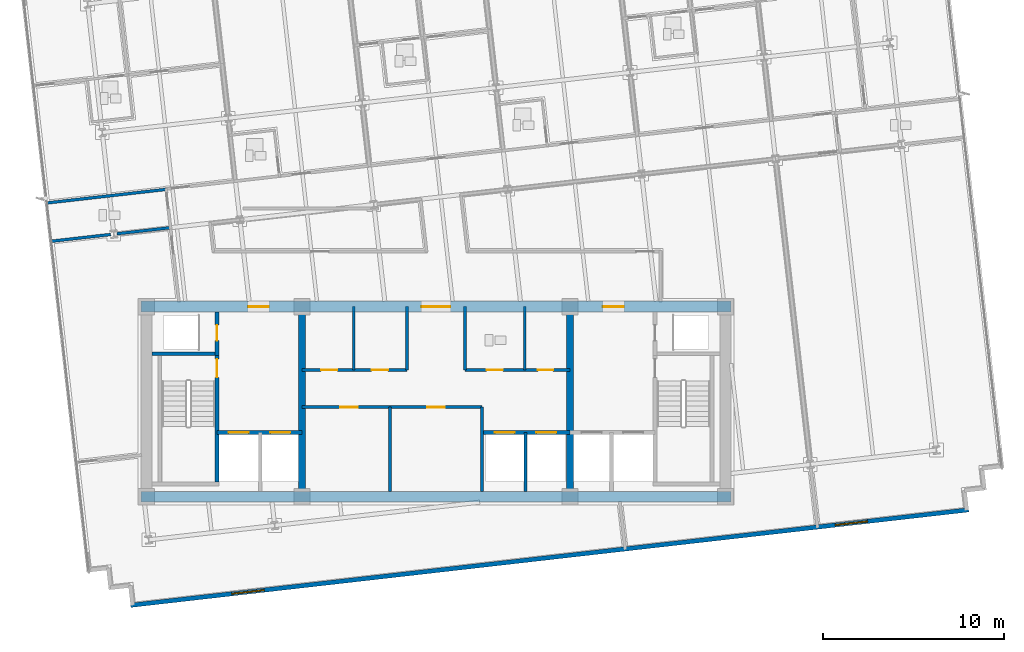
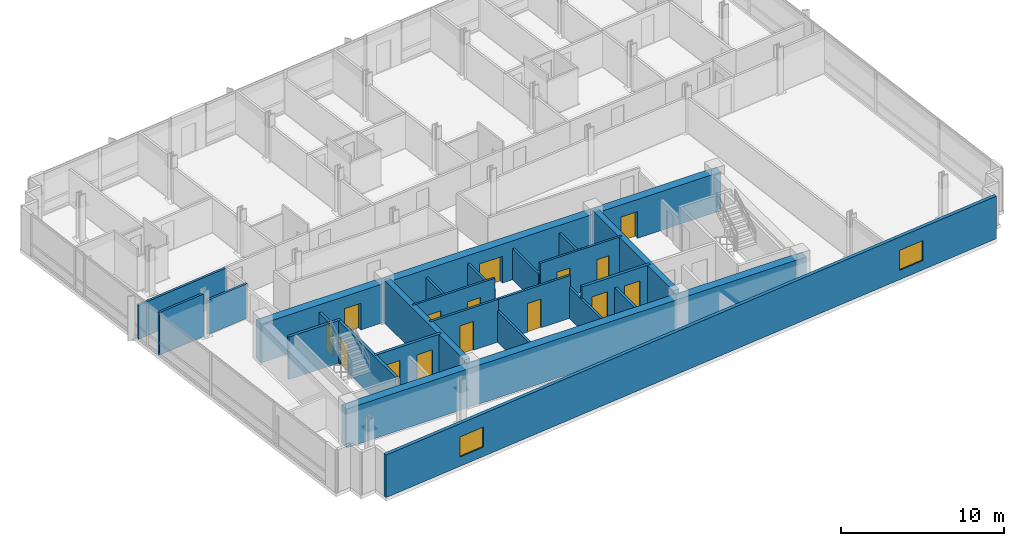
# One storey, part 8 of 17: 24 walls, 15 doors, 2 windows, 17 openings.
"""IFC4 building model written with IfcOpenShell, lengths in metres."""

from ifc_helpers import new_model, si_unit, direction, frame, frame_2d, origin, place, context, subcontext, project, spatial, rectangle, extrude, material, layer, layer_set, type_object, element, fill, save


model = new_model("IFC4")

# Units and contexts
model_context = context("Model", 3, precision=1e-05, world=origin(), true_north=direction((0.0, 1.0)))
body_context = subcontext(model_context, "Body", "Model", "MODEL_VIEW")
ifc_project = project(units=[si_unit("LENGTHUNIT", "METRE"), si_unit("AREAUNIT", "SQUARE_METRE"), si_unit("VOLUMEUNIT", "CUBIC_METRE"), si_unit("PLANEANGLEUNIT", "RADIAN"), si_unit("MASSUNIT", "GRAM", prefix="KILO")], contexts=[model_context])

# Site, building, storey
site_placement = place(None, origin())
site = spatial("IfcSite", under=ifc_project, at=site_placement, CompositionType="ELEMENT")
building_placement = place(site_placement, origin())
building = spatial("IfcBuilding", under=site, at=building_placement, Name="Solmavex Isthmus Hotel", CompositionType="ELEMENT")
storey_placement = place(building_placement, frame((0.0, 0.0, 202.050048828125)))
storey = spatial("IfcBuildingStorey", under=building, at=storey_placement, Name="L54", CompositionType="ELEMENT", Elevation=202.050048828125)

# Wall, openings, windows
ifc_material_1 = material(Name="Precast Concrete C40/50", Category="concrete")
ifc_layer_1 = layer(ifc_material_1, 0.25)
ifc_layer_set_1 = layer_set([ifc_layer_1], Name="Precast Concrete C40/50")
wall_type_1 = type_object("IfcWallType", Name="EW-TWR-250", PredefinedType="STANDARD", material=ifc_layer_set_1)
wall_1_placement = place(storey_placement, frame((-16.86962890625, -18.99951171875, 0.0), z_axis=(0.0, 0.0, 1.0), x_axis=(0.993571588328, 0.113205560228, 0.0)))
wall_1 = element("IfcWall", 1, at=wall_1_placement, inside=storey, type_object=wall_type_1, Name="Tower Rear South Facade Wall L54", PredefinedType="STANDARD", context=body_context, shape_type="SweptSolid", body=[
    extrude(rectangle(XDim=46.60009765625, YDim=0.239990234375, at=frame_2d((23.300048828125, 0.0))), origin(), (0.0, 0.0, 1.0), 3.18994140625),
])
opening_1_placement = place(wall_1_placement, frame((5.6240234375, 0.0, 0.699951171875)))
opening_1 = element("IfcOpeningElement", 2, at=opening_1_placement, cuts=wall_1, Name="Opening WN-02", PredefinedType="OPENING", context=body_context, shape_type="SweptSolid", body=[
    extrude(rectangle(XDim=1.800048828125, YDim=1.5, at=frame_2d((0.89990234375, 0.75))), frame((0.0, 0.1298828125, 0.0), z_axis=(0.0, -1.0, 0.0), x_axis=(1.0, 0.0, 0.0)), (0.0, 0.0, 1.0), 0.260009765625),
])
opening_2_placement = place(wall_1_placement, frame((39.176025390625, 0.0, 0.699951171875)))
opening_2 = element("IfcOpeningElement", 3, at=opening_2_placement, cuts=wall_1, Name="Opening WN-02", PredefinedType="OPENING", context=body_context, shape_type="SweptSolid", body=[
    extrude(rectangle(XDim=1.800048828125, YDim=1.5, at=frame_2d((0.89990234375, 0.75))), frame((0.0, 0.1298828125, 0.0), z_axis=(0.0, -1.0, 0.0), x_axis=(1.0, 0.0, 0.0)), (0.0, 0.0, 1.0), 0.260009765625),
])
ifc_material_2 = material(Name="Clear low-E laminated glass", Category="glass")
window_type = type_object("IfcWindowType", Name="WIN-TWR-1800", PartitioningType="SINGLE_PANEL", PredefinedType="WINDOW", material=ifc_material_2)
window_1_placement = place(opening_1_placement, origin())
window_1 = element("IfcWindow", 4, at=window_1_placement, inside=storey, type_object=window_type, Name="South Facade Vision Window L54-S1", OverallHeight=1.5, OverallWidth=1.800048828125, PartitioningType="SINGLE_PANEL", PredefinedType="WINDOW", context=body_context, shape_type="SweptSolid", body=[
    extrude(rectangle(XDim=1.800048828125, YDim=1.5, at=frame_2d((0.89990234375, 0.75))), frame((0.0, 0.030029296875, 0.0), z_axis=(0.0, -1.0, 0.0), x_axis=(1.0, 0.0, 0.0)), (0.0, 0.0, 1.0), 0.06005859375),
])
fill(opening_1, window_1)
window_2_placement = place(opening_2_placement, origin())
window_2 = element("IfcWindow", 5, at=window_2_placement, inside=storey, type_object=window_type, Name="South Facade Vision Window L54-S2", OverallHeight=1.5, OverallWidth=1.800048828125, PartitioningType="SINGLE_PANEL", PredefinedType="WINDOW", context=body_context, shape_type="SweptSolid", body=[
    extrude(rectangle(XDim=1.800048828125, YDim=1.5, at=frame_2d((0.89990234375, 0.75))), frame((0.0, 0.030029296875, 0.0), z_axis=(0.0, -1.0, 0.0), x_axis=(1.0, 0.0, 0.0)), (0.0, 0.0, 1.0), 0.06005859375),
])
fill(opening_2, window_2)

# Wall, opening, door
ifc_material_3 = material(Name="Gypsum plasterboard lining", Category="gypsum")
ifc_layer_2 = layer(ifc_material_3, 0.159912109375)
ifc_layer_set_2 = layer_set([ifc_layer_2], Name="Gypsum plasterboard lining")
wall_type_2 = type_object("IfcWallType", Name="IW-COMP-160", PredefinedType="PARTITIONING", material=ifc_layer_set_2)
wall_2_placement = place(storey_placement, frame((-7.39990234375, -8.050048828125, 0.0), z_axis=(0.0, 0.0, 1.0), x_axis=(1.0, 0.0, 0.0)))
wall_2 = element("IfcWall", 6, at=wall_2_placement, inside=storey, type_object=wall_type_2, Name="Interior Partition Wall W-L54-REC-PLL-N", PredefinedType="PARTITIONING", context=body_context, shape_type="SweptSolid", body=[
    extrude(rectangle(XDim=4.849853515625, YDim=0.159912109375, at=frame_2d((2.4248046875, 0.0))), origin(), (0.0, 0.0, 1.0), 3.18994140625),
])
opening_3_placement = place(wall_2_placement, frame((2.125, 0.0, 0.0)))
opening_3 = element("IfcOpeningElement", 7, at=opening_3_placement, cuts=wall_2, Name="Opening ID-C095", PredefinedType="OPENING", context=body_context, shape_type="SweptSolid", body=[
    extrude(rectangle(XDim=0.949951171875, YDim=2.14990234375, at=frame_2d((0.47509765625, 1.074951171875))), frame((0.0, 0.08984375, 0.0), z_axis=(0.0, -1.0, 0.0), x_axis=(1.0, 0.0, 0.0)), (0.0, 0.0, 1.0), 0.179931640625),
])
ifc_material_4 = material(Name="Hardwood timber", Category="wood")
door_type_1 = type_object("IfcDoorType", Name="IDR-FD60-0950", OperationType="NOTDEFINED", PredefinedType="DOOR", material=ifc_material_4)
door_1_placement = place(opening_3_placement, origin())
door_1 = element("IfcDoor", 8, at=door_1_placement, inside=storey, type_object=door_type_1, Name="Linen Reserve Door L54", OperationType="SINGLE_SWING_LEFT", OverallHeight=2.14990234375, OverallWidth=0.949951171875, PredefinedType="DOOR", context=body_context, shape_type="SweptSolid", body=[
    extrude(rectangle(XDim=0.949951171875, YDim=2.14990234375, at=frame_2d((0.47509765625, 1.074951171875))), frame((0.0, 0.02490234375, 0.0), z_axis=(0.0, -1.0, 0.0), x_axis=(1.0, 0.0, 0.0)), (0.0, 0.0, 1.0), 0.050048828125),
])
fill(opening_3, door_1)

# Wall
wall_3_placement = place(storey_placement, frame((-2.550048828125, -12.699951171875, 0.0), z_axis=(0.0, 0.0, 1.0), x_axis=(0.0, 1.0, 0.0)))
element("IfcWall", 9, at=wall_3_placement, inside=storey, type_object=wall_type_2, Name="Interior Partition Wall W-L54-REC-PLL-E", PredefinedType="PARTITIONING", context=body_context, shape_type="SweptSolid", body=[
    extrude(rectangle(XDim=4.64990234375, YDim=0.159912109375, at=frame_2d((2.324951171875, 0.0))), origin(), (0.0, 0.0, 1.0), 2.324951171875),
])

# Wall, opening, door
wall_4_placement = place(storey_placement, frame((-2.550048828125, -8.050048828125, 0.0), z_axis=(0.0, 0.0, 1.0), x_axis=(1.0, 0.0, 0.0)))
wall_4 = element("IfcWall", 10, at=wall_4_placement, inside=storey, type_object=wall_type_2, Name="Interior Partition Wall W-L54-REC-PLM-N", PredefinedType="PARTITIONING", context=body_context, shape_type="SweptSolid", body=[
    extrude(rectangle(XDim=5.10009765625, YDim=0.159912109375, at=frame_2d((2.550048828125, 0.0))), origin(), (0.0, 0.0, 1.0), 3.18994140625),
])
opening_4_placement = place(wall_4_placement, frame((2.074951171875, 0.0, 0.0)))
opening_4 = element("IfcOpeningElement", 11, at=opening_4_placement, cuts=wall_4, Name="Opening ID-C095", PredefinedType="OPENING", context=body_context, shape_type="SweptSolid", body=[
    extrude(rectangle(XDim=0.949951171875, YDim=2.14990234375, at=frame_2d((0.47509765625, 1.074951171875))), frame((0.0, 0.08984375, 0.0), z_axis=(0.0, -1.0, 0.0), x_axis=(1.0, 0.0, 0.0)), (0.0, 0.0, 1.0), 0.179931640625),
])
door_2_placement = place(opening_4_placement, origin())
door_2 = element("IfcDoor", 12, at=door_2_placement, inside=storey, type_object=door_type_1, Name="Butler Store Door L54", OperationType="SINGLE_SWING_RIGHT", OverallHeight=2.14990234375, OverallWidth=0.949951171875, PredefinedType="DOOR", context=body_context, shape_type="SweptSolid", body=[
    extrude(rectangle(XDim=0.949951171875, YDim=2.14990234375, at=frame_2d((0.47509765625, 1.074951171875))), frame((0.0, 0.02490234375, 0.0), z_axis=(0.0, -1.0, 0.0), x_axis=(1.0, 0.0, 0.0)), (0.0, 0.0, 1.0), 0.050048828125),
])
fill(opening_4, door_2)

# Walls
wall_5_placement = place(storey_placement, frame((2.550048828125, -12.699951171875, 0.0), z_axis=(0.0, 0.0, 1.0), x_axis=(0.0, 1.0, 0.0)))
element("IfcWall", 13, at=wall_5_placement, inside=storey, type_object=wall_type_2, Name="Interior Partition Wall W-L54-REC-PLM-E", PredefinedType="PARTITIONING", context=body_context, shape_type="SweptSolid", body=[
    extrude(rectangle(XDim=4.64990234375, YDim=0.159912109375, at=frame_2d((2.324951171875, 0.0))), origin(), (0.0, 0.0, 1.0), 2.324951171875),
])
wall_6_placement = place(storey_placement, frame((-14.86865234375, 3.98486328125, 0.0), z_axis=(0.0, 0.0, 1.0), x_axis=(-0.993568743641, -0.113230524415, 0.0)))
element("IfcWall", 14, at=wall_6_placement, inside=storey, type_object=wall_type_2, Name="Interior Partition Wall W-L54-P032", PredefinedType="PARTITIONING", context=body_context, shape_type="SweptSolid", body=[
    extrude(rectangle(XDim=6.7099609375, YDim=0.159912109375, at=frame_2d((3.35498046875, 0.0))), origin(), (0.0, 0.0, 1.0), 2.557373046875),
])
wall_7_placement = place(storey_placement, frame((-17.97216796875, 1.4873046875, 0.0), z_axis=(0.0, 0.0, 1.0), x_axis=(-0.993575433752, -0.113171804991, 0.0)))
element("IfcWall", 15, at=wall_7_placement, inside=storey, type_object=wall_type_2, Name="Interior Partition Wall W-L54-P080", PredefinedType="PARTITIONING", context=body_context, shape_type="SweptSolid", body=[
    extrude(rectangle(XDim=3.34375, YDim=0.159912109375, at=frame_2d((1.671875, 0.0))), origin(), (0.0, 0.0, 1.0), 3.18994140625),
])
wall_8_placement = place(storey_placement, frame((-14.62744140625, 1.868408203125, 0.0), z_axis=(0.0, 0.0, 1.0), x_axis=(-0.993574646464, -0.113178716659, 0.0)))
element("IfcWall", 16, at=wall_8_placement, inside=storey, type_object=wall_type_2, Name="Interior Partition Wall W-L54-P081", PredefinedType="PARTITIONING", context=body_context, shape_type="SweptSolid", body=[
    extrude(rectangle(XDim=3.013427734375, YDim=0.159912109375, at=frame_2d((1.5068359375, 0.0))), origin(), (0.0, 0.0, 1.0), 2.572265625),
])

# Wall, openings, doors
ifc_layer_3 = layer(ifc_material_3, 0.14990234375)
ifc_layer_set_3 = layer_set([ifc_layer_3], Name="Gypsum plasterboard lining")
wall_type_3 = type_object("IfcWallType", Name="IW-CORR-150", PredefinedType="PARTITIONING", material=ifc_layer_set_3)
wall_9_placement = place(storey_placement, frame((-7.39990234375, -6.0, 0.0), z_axis=(0.0, 0.0, 1.0), x_axis=(1.0, 0.0, 0.0)))
wall_9 = element("IfcWall", 17, at=wall_9_placement, inside=storey, type_object=wall_type_3, Name="Interior Partition Wall W-L54-BOH-WS", PredefinedType="PARTITIONING", context=body_context, shape_type="SweptSolid", body=[
    extrude(rectangle(XDim=5.7998046875, YDim=0.14990234375, at=frame_2d((2.89990234375, 0.0))), origin(), (0.0, 0.0, 1.0), 3.18994140625),
])
opening_5_placement = place(wall_9_placement, frame((1.050048828125, 0.0, 0.0)))
opening_5 = element("IfcOpeningElement", 18, at=opening_5_placement, cuts=wall_9, Name="Opening ID-C090", PredefinedType="OPENING", context=body_context, shape_type="SweptSolid", body=[
    extrude(rectangle(XDim=0.89990234375, YDim=2.10009765625, at=frame_2d((0.449951171875, 1.050048828125))), frame((0.0, 0.0849609375, 0.0), z_axis=(0.0, -1.0, 0.0), x_axis=(1.0, 0.0, 0.0)), (0.0, 0.0, 1.0), 0.169921875),
])
opening_6_placement = place(wall_9_placement, frame((3.85009765625, 0.0, 0.0)))
opening_6 = element("IfcOpeningElement", 19, at=opening_6_placement, cuts=wall_9, Name="Opening ID-C090", PredefinedType="OPENING", context=body_context, shape_type="SweptSolid", body=[
    extrude(rectangle(XDim=0.89990234375, YDim=2.10009765625, at=frame_2d((0.449951171875, 1.050048828125))), frame((0.0, 0.0849609375, 0.0), z_axis=(0.0, -1.0, 0.0), x_axis=(1.0, 0.0, 0.0)), (0.0, 0.0, 1.0), 0.169921875),
])
door_type_2 = type_object("IfcDoorType", Name="IDR-FD60-0900", OperationType="NOTDEFINED", PredefinedType="DOOR", material=ifc_material_4)
door_3_placement = place(opening_5_placement, frame((0.89990234375, 0.0, 0.0), z_axis=(0.0, 0.0, 1.0), x_axis=(-1.0, 0.0, 0.0)))
door_3 = element("IfcDoor", 20, at=door_3_placement, inside=storey, type_object=door_type_2, Name="Linen Room Door L54", OperationType="SINGLE_SWING_LEFT", OverallHeight=2.10009765625, OverallWidth=0.89990234375, PredefinedType="DOOR", context=body_context, shape_type="SweptSolid", body=[
    extrude(rectangle(XDim=0.89990234375, YDim=2.10009765625, at=frame_2d((0.449951171875, 1.050048828125))), frame((0.0, 0.02490234375, 0.0), z_axis=(0.0, -1.0, 0.0), x_axis=(1.0, 0.0, 0.0)), (0.0, 0.0, 1.0), 0.050048828125),
])
fill(opening_5, door_3)
door_4_placement = place(opening_6_placement, frame((0.89990234375, 0.0, 0.0), z_axis=(0.0, 0.0, 1.0), x_axis=(-1.0, 0.0, 0.0)))
door_4 = element("IfcDoor", 21, at=door_4_placement, inside=storey, type_object=door_type_2, Name="Ice Pantry Door L54", OperationType="SINGLE_SWING_RIGHT", OverallHeight=2.10009765625, OverallWidth=0.89990234375, PredefinedType="DOOR", context=body_context, shape_type="SweptSolid", body=[
    extrude(rectangle(XDim=0.89990234375, YDim=2.10009765625, at=frame_2d((0.449951171875, 1.050048828125))), frame((0.0, 0.02490234375, 0.0), z_axis=(0.0, -1.0, 0.0), x_axis=(1.0, 0.0, 0.0)), (0.0, 0.0, 1.0), 0.050048828125),
])
fill(opening_6, door_4)

# Wall
wall_10_placement = place(storey_placement, frame((-1.60009765625, -6.0, 0.0), z_axis=(0.0, 0.0, 1.0), x_axis=(0.0, 1.0, 0.0)))
element("IfcWall", 22, at=wall_10_placement, inside=storey, type_object=wall_type_3, Name="Interior Partition Wall W-L54-BOH-WE", PredefinedType="PARTITIONING", context=body_context, shape_type="SweptSolid", body=[
    extrude(rectangle(XDim=3.5, YDim=0.14990234375, at=frame_2d((1.75, 0.0))), origin(), (0.0, 0.0, 1.0), 2.324951171875),
])

# Wall, openings, doors
wall_11_placement = place(storey_placement, frame((1.60009765625, -6.0, 0.0), z_axis=(0.0, 0.0, 1.0), x_axis=(1.0, 0.0, 0.0)))
wall_11 = element("IfcWall", 23, at=wall_11_placement, inside=storey, type_object=wall_type_3, Name="Interior Partition Wall W-L54-BOH-ES", PredefinedType="PARTITIONING", context=body_context, shape_type="SweptSolid", body=[
    extrude(rectangle(XDim=5.7998046875, YDim=0.14990234375, at=frame_2d((2.89990234375, 0.0))), origin(), (0.0, 0.0, 1.0), 3.18994140625),
])
opening_7_placement = place(wall_11_placement, frame((1.199951171875, 0.0, 0.0)))
opening_7 = element("IfcOpeningElement", 24, at=opening_7_placement, cuts=wall_11, Name="Opening ID-C090", PredefinedType="OPENING", context=body_context, shape_type="SweptSolid", body=[
    extrude(rectangle(XDim=0.89990234375, YDim=2.10009765625, at=frame_2d((0.449951171875, 1.050048828125))), frame((0.0, 0.0849609375, 0.0), z_axis=(0.0, -1.0, 0.0), x_axis=(1.0, 0.0, 0.0)), (0.0, 0.0, 1.0), 0.169921875),
])
opening_8_placement = place(wall_11_placement, frame((4.02490234375, 0.0, 0.0)))
opening_8 = element("IfcOpeningElement", 25, at=opening_8_placement, cuts=wall_11, Name="Opening ID-R085", PredefinedType="OPENING", context=body_context, shape_type="SweptSolid", body=[
    extrude(rectangle(XDim=0.85009765625, YDim=2.050048828125, at=frame_2d((0.425048828125, 1.02490234375))), frame((0.0, 0.0849609375, 0.0), z_axis=(0.0, -1.0, 0.0), x_axis=(1.0, 0.0, 0.0)), (0.0, 0.0, 1.0), 0.169921875),
])
ifc_material_5 = material(Name="Steel ASTM A500 Grade C", Category="steel")
door_type_3 = type_object("IfcDoorType", Name="IDR-FD60-0850", OperationType="NOTDEFINED", PredefinedType="DOOR", material=ifc_material_5)
door_5_placement = place(opening_8_placement, frame((0.85009765625, 0.0, 0.0), z_axis=(0.0, 0.0, 1.0), x_axis=(-1.0, 0.0, 0.0)))
door_5 = element("IfcDoor", 26, at=door_5_placement, inside=storey, type_object=door_type_3, Name="IT Room Door L54", OperationType="SINGLE_SWING_RIGHT", OverallHeight=2.050048828125, OverallWidth=0.85009765625, PredefinedType="DOOR", context=body_context, shape_type="SweptSolid", body=[
    extrude(rectangle(XDim=0.85009765625, YDim=2.050048828125, at=frame_2d((0.425048828125, 1.02490234375))), frame((0.0, 0.02490234375, 0.0), z_axis=(0.0, -1.0, 0.0), x_axis=(1.0, 0.0, 0.0)), (0.0, 0.0, 1.0), 0.050048828125),
])
fill(opening_8, door_5)
door_6_placement = place(opening_7_placement, frame((0.89990234375, 0.0, 0.0), z_axis=(0.0, 0.0, 1.0), x_axis=(-1.0, 0.0, 0.0)))
door_6 = element("IfcDoor", 27, at=door_6_placement, inside=storey, type_object=door_type_2, Name="Staff Restroom Door L54", OperationType="SINGLE_SWING_LEFT", OverallHeight=2.10009765625, OverallWidth=0.89990234375, PredefinedType="DOOR", context=body_context, shape_type="SweptSolid", body=[
    extrude(rectangle(XDim=0.89990234375, YDim=2.10009765625, at=frame_2d((0.449951171875, 1.050048828125))), frame((0.0, 0.02490234375, 0.0), z_axis=(0.0, -1.0, 0.0), x_axis=(1.0, 0.0, 0.0)), (0.0, 0.0, 1.0), 0.050048828125),
])
fill(opening_7, door_6)

# Walls
wall_12_placement = place(storey_placement, frame((1.60009765625, -6.0, 0.0), z_axis=(0.0, 0.0, 1.0), x_axis=(0.0, 1.0, 0.0)))
element("IfcWall", 28, at=wall_12_placement, inside=storey, type_object=wall_type_3, Name="Interior Partition Wall W-L54-BOH-EW", PredefinedType="PARTITIONING", context=body_context, shape_type="SweptSolid", body=[
    extrude(rectangle(XDim=3.5, YDim=0.14990234375, at=frame_2d((1.75, 0.0))), origin(), (0.0, 0.0, 1.0), 2.324951171875),
])
ifc_layer_4 = layer(ifc_material_3, 0.1201171875)
ifc_layer_set_4 = layer_set([ifc_layer_4], Name="Gypsum plasterboard lining")
wall_type_4 = type_object("IfcWallType", Name="IW-PART-120", PredefinedType="PARTITIONING", material=ifc_layer_set_4)
for number, where, z_axis, x_axis, name in (
    (29, (-4.550048828125, -6.0, 0.0), (0.0, 0.0, 1.0), (0.0, 1.0, 0.0), "Interior Partition Wall W-L54-BOH-WM2"),
    (30, (4.89990234375, -6.0, 0.0), (0.0, 0.0, 1.0), (0.0, 1.0, 0.0), "Interior Partition Wall W-L54-BOH-EM2"),
):
    element("IfcWall", number, at=place(storey_placement, frame(where, z_axis=z_axis, x_axis=x_axis)), inside=storey, type_object=wall_type_4, Name=name, PredefinedType="PARTITIONING", context=body_context, shape_type="SweptSolid", body=[
        extrude(rectangle(XDim=3.5, YDim=0.14990234375, at=frame_2d((1.75, 0.0))), origin(), (0.0, 0.0, 1.0), 2.324951171875),
    ])
ifc_material_6 = material(Name="Concrete C40/50", Category="concrete")
ifc_layer_5 = layer(ifc_material_6, 0.179931640625)
ifc_layer_set_5 = layer_set([ifc_layer_5], Name="Concrete C40/50")
wall_type_5 = type_object("IfcWallType", Name="IW-SHAFT-180", PredefinedType="PARTITIONING", material=ifc_layer_set_5)
wall_13_placement = place(storey_placement, frame((4.949951171875, -12.699951171875, 0.0), z_axis=(0.0, 0.0, 1.0), x_axis=(0.0, 1.0, 0.0)))
element("IfcWall", 31, at=wall_13_placement, inside=storey, type_object=wall_type_5, Name="Interior Partition Wall W-L54-SH-PLH-M", PredefinedType="PARTITIONING", context=body_context, shape_type="SweptSolid", body=[
    extrude(rectangle(XDim=3.25, YDim=0.179931640625, at=frame_2d((1.625, 0.0))), origin(), (0.0, 0.0, 1.0), 2.324951171875),
])

# Wall, opening, door
ifc_layer_6 = layer(ifc_material_6, 0.199951171875)
ifc_layer_set_6 = layer_set([ifc_layer_6], Name="Concrete C40/50")
wall_type_6 = type_object("IfcWallType", Name="IW-SHAFT-200", PredefinedType="PARTITIONING", material=ifc_layer_set_6)
wall_14_placement = place(storey_placement, frame((-12.10009765625, -5.199951171875, 0.0), z_axis=(0.0, 0.0, 1.0), x_axis=(0.0, 1.0, 0.0)))
wall_14 = element("IfcWall", 32, at=wall_14_placement, inside=storey, type_object=wall_type_6, Name="Interior Partition Wall W-L54-RSW-E", PredefinedType="PARTITIONING", context=body_context, shape_type="SweptSolid", body=[
    extrude(rectangle(XDim=2.39990234375, YDim=0.199951171875, at=frame_2d((1.199951171875, 0.0))), origin(), (0.0, 0.0, 1.0), 2.324951171875),
])
opening_9_placement = place(wall_14_placement, frame((0.824951171875, 0.0, 0.0)))
opening_9 = element("IfcOpeningElement", 33, at=opening_9_placement, cuts=wall_14, Name="Opening ID-R085", PredefinedType="OPENING", context=body_context, shape_type="SweptSolid", body=[
    extrude(rectangle(XDim=0.85009765625, YDim=2.050048828125, at=frame_2d((0.425048828125, 1.02490234375))), frame((0.0, 0.10986328125, 0.0), z_axis=(0.0, -1.0, 0.0), x_axis=(1.0, 0.0, 0.0)), (0.0, 0.0, 1.0), 0.219970703125),
])
door_7_placement = place(opening_9_placement, origin())
door_7 = element("IfcDoor", 34, at=door_7_placement, inside=storey, type_object=door_type_3, Name="Electrical Riser Door L54", OperationType="SINGLE_SWING_RIGHT", OverallHeight=2.050048828125, OverallWidth=0.85009765625, PredefinedType="DOOR", context=body_context, shape_type="SweptSolid", body=[
    extrude(rectangle(XDim=0.85009765625, YDim=2.050048828125, at=frame_2d((0.425048828125, 1.02490234375))), frame((0.0, 0.02490234375, 0.0), z_axis=(0.0, -1.0, 0.0), x_axis=(1.0, 0.0, 0.0)), (0.0, 0.0, 1.0), 0.050048828125),
])
fill(opening_9, door_7)

# Wall, openings, doors
wall_15_placement = place(storey_placement, frame((-12.10009765625, -9.449951171875, 0.0), z_axis=(0.0, 0.0, 1.0), x_axis=(1.0, 0.0, 0.0)))
wall_15 = element("IfcWall", 35, at=wall_15_placement, inside=storey, type_object=wall_type_6, Name="Interior Partition Wall W-L54-FFLW-S", PredefinedType="PARTITIONING", context=body_context, shape_type="SweptSolid", body=[
    extrude(rectangle(XDim=4.7001953125, YDim=0.199951171875, at=frame_2d((2.35009765625, 0.0))), origin(), (0.0, 0.0, 1.0), 3.18994140625),
])
opening_10_placement = place(wall_15_placement, frame((0.64990234375, 0.0, 0.0)))
opening_10 = element("IfcOpeningElement", 36, at=opening_10_placement, cuts=wall_15, Name="Opening LD-FF", PredefinedType="OPENING", context=body_context, shape_type="SweptSolid", body=[
    extrude(rectangle(XDim=1.10009765625, YDim=2.199951171875, at=frame_2d((0.550048828125, 1.10009765625))), frame((0.0, 0.10986328125, 0.0), z_axis=(0.0, -1.0, 0.0), x_axis=(1.0, 0.0, 0.0)), (0.0, 0.0, 1.0), 0.219970703125),
])
opening_11_placement = place(wall_15_placement, frame((2.949951171875, 0.0, 0.0)))
opening_11 = element("IfcOpeningElement", 37, at=opening_11_placement, cuts=wall_15, Name="Opening LD-SV", PredefinedType="OPENING", context=body_context, shape_type="SweptSolid", body=[
    extrude(rectangle(XDim=1.10009765625, YDim=2.199951171875, at=frame_2d((0.550048828125, 1.10009765625))), frame((0.0, 0.10986328125, 0.0), z_axis=(0.0, -1.0, 0.0), x_axis=(1.0, 0.0, 0.0)), (0.0, 0.0, 1.0), 0.219970703125),
])
ifc_material_7 = material(Name="Stainless steel 316", Category="steel")
door_type_4 = type_object("IfcDoorType", Name="LDR-FF-1100", OperationType="NOTDEFINED", PredefinedType="DOOR", material=ifc_material_7)
door_8_placement = place(opening_10_placement, origin())
door_8 = element("IfcDoor", 38, at=door_8_placement, inside=storey, type_object=door_type_4, Name="Lift Landing Door FFL-1 L54", OperationType="SLIDING_TO_LEFT", OverallHeight=2.199951171875, OverallWidth=1.10009765625, PredefinedType="DOOR", context=body_context, shape_type="SweptSolid", body=[
    extrude(rectangle(XDim=1.10009765625, YDim=2.199951171875, at=frame_2d((0.550048828125, 1.10009765625))), frame((0.0, 0.02490234375, 0.0), z_axis=(0.0, -1.0, 0.0), x_axis=(1.0, 0.0, 0.0)), (0.0, 0.0, 1.0), 0.050048828125),
])
fill(opening_10, door_8)
door_type_5 = type_object("IfcDoorType", Name="LDR-SV-1100", OperationType="NOTDEFINED", PredefinedType="DOOR", material=ifc_material_7)
door_9_placement = place(opening_11_placement, origin())
door_9 = element("IfcDoor", 39, at=door_9_placement, inside=storey, type_object=door_type_5, Name="Lift Landing Door SVL-1 L54", OperationType="SLIDING_TO_RIGHT", OverallHeight=2.199951171875, OverallWidth=1.10009765625, PredefinedType="DOOR", context=body_context, shape_type="SweptSolid", body=[
    extrude(rectangle(XDim=1.10009765625, YDim=2.199951171875, at=frame_2d((0.550048828125, 1.10009765625))), frame((0.0, 0.02490234375, 0.0), z_axis=(0.0, -1.0, 0.0), x_axis=(1.0, 0.0, 0.0)), (0.0, 0.0, 1.0), 0.050048828125),
])
fill(opening_11, door_9)

wall_16_placement = place(storey_placement, frame((2.550048828125, -9.449951171875, 0.0), z_axis=(0.0, 0.0, 1.0), x_axis=(1.0, 0.0, 0.0)))
wall_16 = element("IfcWall", 40, at=wall_16_placement, inside=storey, type_object=wall_type_6, Name="Interior Partition Wall W-L54-SH-PLH", PredefinedType="PARTITIONING", context=body_context, shape_type="SweptSolid", body=[
    extrude(rectangle(XDim=4.849853515625, YDim=0.199951171875, at=frame_2d((2.4248046875, 0.0))), origin(), (0.0, 0.0, 1.0), 3.18994140625),
])
opening_12_placement = place(wall_16_placement, frame((0.699951171875, 0.0, 0.0)))
opening_12 = element("IfcOpeningElement", 41, at=opening_12_placement, cuts=wall_16, Name="Opening LD-PL", PredefinedType="OPENING", context=body_context, shape_type="SweptSolid", body=[
    extrude(rectangle(XDim=1.10009765625, YDim=2.199951171875, at=frame_2d((0.550048828125, 1.10009765625))), frame((0.0, 0.10986328125, 0.0), z_axis=(0.0, -1.0, 0.0), x_axis=(1.0, 0.0, 0.0)), (0.0, 0.0, 1.0), 0.219970703125),
])
opening_13_placement = place(wall_16_placement, frame((3.0, 0.0, 0.0)))
opening_13 = element("IfcOpeningElement", 42, at=opening_13_placement, cuts=wall_16, Name="Opening LD-PL", PredefinedType="OPENING", context=body_context, shape_type="SweptSolid", body=[
    extrude(rectangle(XDim=1.10009765625, YDim=2.199951171875, at=frame_2d((0.550048828125, 1.10009765625))), frame((0.0, 0.10986328125, 0.0), z_axis=(0.0, -1.0, 0.0), x_axis=(1.0, 0.0, 0.0)), (0.0, 0.0, 1.0), 0.219970703125),
])
door_type_6 = type_object("IfcDoorType", Name="LDR-PL-1100", OperationType="NOTDEFINED", PredefinedType="DOOR", material=ifc_material_7)
door_10_placement = place(opening_12_placement, origin())
door_10 = element("IfcDoor", 43, at=door_10_placement, inside=storey, type_object=door_type_6, Name="Lift Landing Door PLH1 L54", OperationType="SLIDING_TO_LEFT", OverallHeight=2.199951171875, OverallWidth=1.10009765625, PredefinedType="DOOR", context=body_context, shape_type="SweptSolid", body=[
    extrude(rectangle(XDim=1.10009765625, YDim=2.199951171875, at=frame_2d((0.550048828125, 1.10009765625))), frame((0.0, 0.02490234375, 0.0), z_axis=(0.0, -1.0, 0.0), x_axis=(1.0, 0.0, 0.0)), (0.0, 0.0, 1.0), 0.050048828125),
])
fill(opening_12, door_10)
door_11_placement = place(opening_13_placement, origin())
door_11 = element("IfcDoor", 44, at=door_11_placement, inside=storey, type_object=door_type_6, Name="Lift Landing Door PLH2 L54", OperationType="SLIDING_TO_LEFT", OverallHeight=2.199951171875, OverallWidth=1.10009765625, PredefinedType="DOOR", context=body_context, shape_type="SweptSolid", body=[
    extrude(rectangle(XDim=1.10009765625, YDim=2.199951171875, at=frame_2d((0.550048828125, 1.10009765625))), frame((0.0, 0.02490234375, 0.0), z_axis=(0.0, -1.0, 0.0), x_axis=(1.0, 0.0, 0.0)), (0.0, 0.0, 1.0), 0.050048828125),
])
fill(opening_13, door_11)

# Walls
ifc_material_8 = material(Name="Concrete C50/60", Category="concrete")
ifc_layer_7 = layer(ifc_material_8, 0.39990234375)
ifc_layer_set_7 = layer_set([ifc_layer_7], Name="Concrete C50/60")
wall_type_7 = type_object("IfcWallType", Name="WALL-CW-400H", PredefinedType="SHEAR", material=ifc_layer_set_7)
for number, where, z_axis, x_axis, name in (
    (45, (-7.39990234375, -12.699951171875, 0.0), (0.0, 0.0, 1.0), (0.0, 1.0, 0.0), "Core Cross Shear Wall C1 L54"),
    (46, (7.39990234375, -12.699951171875, 0.0), (0.0, 0.0, 1.0), (0.0, 1.0, 0.0), "Core Cross Shear Wall C2 L54"),
):
    element("IfcWall", number, at=place(storey_placement, frame(where, z_axis=z_axis, x_axis=x_axis)), inside=storey, type_object=wall_type_7, Name=name, PredefinedType="SHEAR", context=body_context, shape_type="SweptSolid", body=[
        extrude(rectangle(XDim=9.89990234375, YDim=0.39990234375, at=frame_2d((4.949951171875, 0.0))), origin(), (0.0, 0.0, 1.0), 3.18994140625),
    ])
ifc_layer_8 = layer(ifc_material_8, 0.60009765625)
ifc_layer_set_8 = layer_set([ifc_layer_8], Name="Concrete C50/60")
wall_type_8 = type_object("IfcWallType", Name="WALL-CW-600", PredefinedType="SHEAR", material=ifc_layer_set_8)
wall_17_placement = place(storey_placement, frame((-16.300048828125, -13.0, 0.0), z_axis=(0.0, 0.0, 1.0), x_axis=(1.0, 0.0, 0.0)))
element("IfcWall", 47, at=wall_17_placement, inside=storey, type_object=wall_type_8, Name="Core Shear Wall South L54", PredefinedType="SHEAR", context=body_context, shape_type="SweptSolid", body=[
    extrude(rectangle(XDim=32.60009765625, YDim=0.60009765625, at=frame_2d((16.300048828125, 0.0))), origin(), (0.0, 0.0, 1.0), 2.909912109375),
])

# Wall, openings, doors
wall_18_placement = place(storey_placement, frame((-16.300048828125, -2.5, 0.0), z_axis=(0.0, 0.0, 1.0), x_axis=(1.0, 0.0, 0.0)))
wall_18 = element("IfcWall", 48, at=wall_18_placement, inside=storey, type_object=wall_type_8, Name="Core Shear Wall North L54", PredefinedType="SHEAR", context=body_context, shape_type="SweptSolid", body=[
    extrude(rectangle(XDim=32.60009765625, YDim=0.60009765625, at=frame_2d((16.300048828125, 0.0))), origin(), (0.0, 0.0, 1.0), 2.909912109375),
])
opening_14_placement = place(wall_18_placement, frame((5.925048828125, 0.0, 0.0)))
opening_14 = element("IfcOpeningElement", 49, at=opening_14_placement, cuts=wall_18, Name="Opening ID-F915", PredefinedType="OPENING", context=body_context, shape_type="SweptSolid", body=[
    extrude(rectangle(XDim=1.14990234375, YDim=2.0, at=frame_2d((0.574951171875, 1.0))), frame((0.0, 0.31005859375, 0.0), z_axis=(0.0, -1.0, 0.0), x_axis=(1.0, 0.0, 0.0)), (0.0, 0.0, 1.0), 0.6201171875),
])
opening_15_placement = place(wall_18_placement, frame((15.5, 0.0, 0.0)))
opening_15 = element("IfcOpeningElement", 50, at=opening_15_placement, cuts=wall_18, Name="Opening ID-F960", PredefinedType="OPENING", context=body_context, shape_type="SweptSolid", body=[
    extrude(rectangle(XDim=1.60009765625, YDim=2.0, at=frame_2d((0.800048828125, 1.0))), frame((0.0, 0.31005859375, 0.0), z_axis=(0.0, -1.0, 0.0), x_axis=(1.0, 0.0, 0.0)), (0.0, 0.0, 1.0), 0.6201171875),
])
opening_16_placement = place(wall_18_placement, frame((25.52490234375, 0.0, 0.0)))
opening_16 = element("IfcOpeningElement", 51, at=opening_16_placement, cuts=wall_18, Name="Opening ID-F915", PredefinedType="OPENING", context=body_context, shape_type="SweptSolid", body=[
    extrude(rectangle(XDim=1.14990234375, YDim=2.0, at=frame_2d((0.574951171875, 1.0))), frame((0.0, 0.31005859375, 0.0), z_axis=(0.0, -1.0, 0.0), x_axis=(1.0, 0.0, 0.0)), (0.0, 0.0, 1.0), 0.6201171875),
])
door_type_7 = type_object("IfcDoorType", Name="IDR-FD90-1150C", OperationType="NOTDEFINED", PredefinedType="DOOR", material=ifc_material_5)
door_12_placement = place(opening_14_placement, origin())
door_12 = element("IfcDoor", 52, at=door_12_placement, inside=storey, type_object=door_type_7, Name="Firefighting Lobby West Exit Door L54", OperationType="SINGLE_SWING_LEFT", OverallHeight=2.0, OverallWidth=1.14990234375, PredefinedType="DOOR", context=body_context, shape_type="SweptSolid", body=[
    extrude(rectangle(XDim=1.14990234375, YDim=2.0, at=frame_2d((0.574951171875, 1.0))), frame((0.0, 0.02490234375, 0.0), z_axis=(0.0, -1.0, 0.0), x_axis=(1.0, 0.0, 0.0)), (0.0, 0.0, 1.0), 0.050048828125),
])
fill(opening_14, door_12)
door_13_placement = place(opening_16_placement, origin())
door_13 = element("IfcDoor", 53, at=door_13_placement, inside=storey, type_object=door_type_7, Name="Firefighting Lobby East Exit Door L54", OperationType="SINGLE_SWING_RIGHT", OverallHeight=2.0, OverallWidth=1.14990234375, PredefinedType="DOOR", context=body_context, shape_type="SweptSolid", body=[
    extrude(rectangle(XDim=1.14990234375, YDim=2.0, at=frame_2d((0.574951171875, 1.0))), frame((0.0, 0.02490234375, 0.0), z_axis=(0.0, -1.0, 0.0), x_axis=(1.0, 0.0, 0.0)), (0.0, 0.0, 1.0), 0.050048828125),
])
fill(opening_16, door_13)
door_type_8 = type_object("IfcDoorType", Name="IDR-FD90-1600C", OperationType="NOTDEFINED", PredefinedType="DOOR", material=ifc_material_5)
door_14_placement = place(opening_15_placement, origin())
door_14 = element("IfcDoor", 54, at=door_14_placement, inside=storey, type_object=door_type_8, Name="Central Lift Lobby Door L54", OperationType="DOUBLE_DOOR_SINGLE_SWING", OverallHeight=2.0, OverallWidth=1.60009765625, PredefinedType="DOOR", context=body_context, shape_type="SweptSolid", body=[
    extrude(rectangle(XDim=1.60009765625, YDim=2.0, at=frame_2d((0.800048828125, 1.0))), frame((0.0, 0.02490234375, 0.0), z_axis=(0.0, -1.0, 0.0), x_axis=(1.0, 0.0, 0.0)), (0.0, 0.0, 1.0), 0.050048828125),
])
fill(opening_15, door_14)

# Wall
ifc_layer_9 = layer(ifc_material_6, 0.199951171875)
ifc_layer_set_9 = layer_set([ifc_layer_9], Name="Concrete C40/50")
wall_type_9 = type_object("IfcWallType", Name="WALL-SW-200", PredefinedType="SOLIDWALL", material=ifc_layer_set_9)
wall_19_placement = place(storey_placement, frame((-15.699951171875, -5.10009765625, 0.0), z_axis=(0.0, 0.0, 1.0), x_axis=(1.0, 0.0, 0.0)))
element("IfcWall", 55, at=wall_19_placement, inside=storey, type_object=wall_type_9, Name="Stairwell Structural Wall SW-L54-ST1-N", PredefinedType="SOLIDWALL", context=body_context, shape_type="SweptSolid", body=[
    extrude(rectangle(XDim=3.699951171875, YDim=0.199951171875, at=frame_2d((1.85009765625, 0.0))), origin(), (0.0, 0.0, 1.0), 3.18994140625),
])

# Wall, opening, door
wall_20_placement = place(storey_placement, frame((-12.10009765625, -12.199951171875, 0.0), z_axis=(0.0, 0.0, 1.0), x_axis=(0.0, 1.0, 0.0)))
wall_20 = element("IfcWall", 56, at=wall_20_placement, inside=storey, type_object=wall_type_9, Name="Stairwell Structural Wall SW-L54-ST1-E", PredefinedType="SOLIDWALL", context=body_context, shape_type="SweptSolid", body=[
    extrude(rectangle(XDim=7.0, YDim=0.199951171875, at=frame_2d((3.5, 0.0))), origin(), (0.0, 0.0, 1.0), 3.18994140625),
])
opening_17_placement = place(wall_20_placement, frame((5.800048828125, 0.0, 0.0)))
opening_17 = element("IfcOpeningElement", 57, at=opening_17_placement, cuts=wall_20, Name="Opening ID-F100", PredefinedType="OPENING", context=body_context, shape_type="SweptSolid", body=[
    extrude(rectangle(XDim=1.0, YDim=2.10009765625, at=frame_2d((0.5, 1.050048828125))), frame((0.0, 0.10986328125, 0.0), z_axis=(0.0, -1.0, 0.0), x_axis=(1.0, 0.0, 0.0)), (0.0, 0.0, 1.0), 0.219970703125),
])
door_type_9 = type_object("IfcDoorType", Name="IDR-FD90-1000", OperationType="NOTDEFINED", PredefinedType="DOOR", material=ifc_material_5)
door_15_placement = place(opening_17_placement, frame((1.0, 0.0, 0.0), z_axis=(0.0, 0.0, 1.0), x_axis=(-1.0, 0.0, 0.0)))
door_15 = element("IfcDoor", 58, at=door_15_placement, inside=storey, type_object=door_type_9, Name="Stair ST-1 Fire Door L54", OperationType="SINGLE_SWING_LEFT", OverallHeight=2.10009765625, OverallWidth=1.0, PredefinedType="DOOR", context=body_context, shape_type="SweptSolid", body=[
    extrude(rectangle(XDim=1.0, YDim=2.10009765625, at=frame_2d((0.5, 1.050048828125))), frame((0.0, 0.02490234375, 0.0), z_axis=(0.0, -1.0, 0.0), x_axis=(1.0, 0.0, 0.0)), (0.0, 0.0, 1.0), 0.050048828125),
])
fill(opening_17, door_15)

save(model, "model.ifc")
